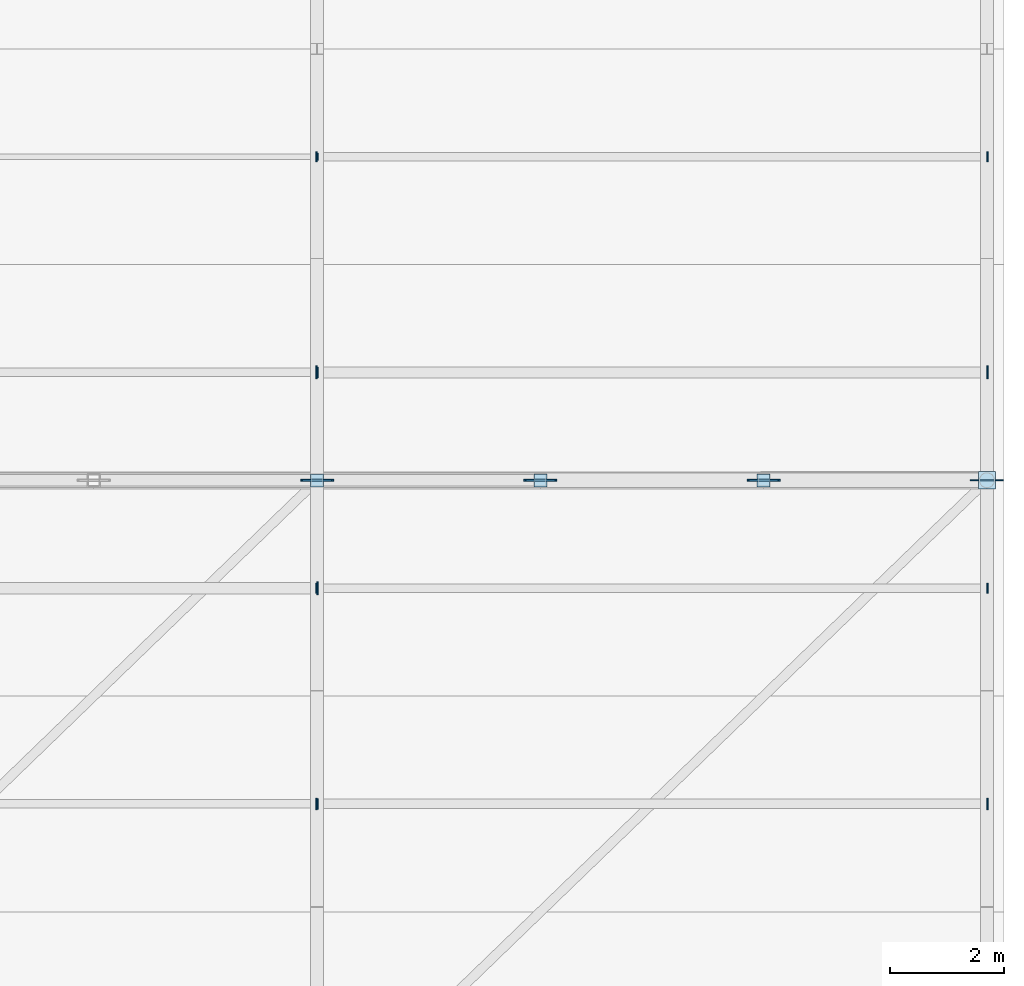
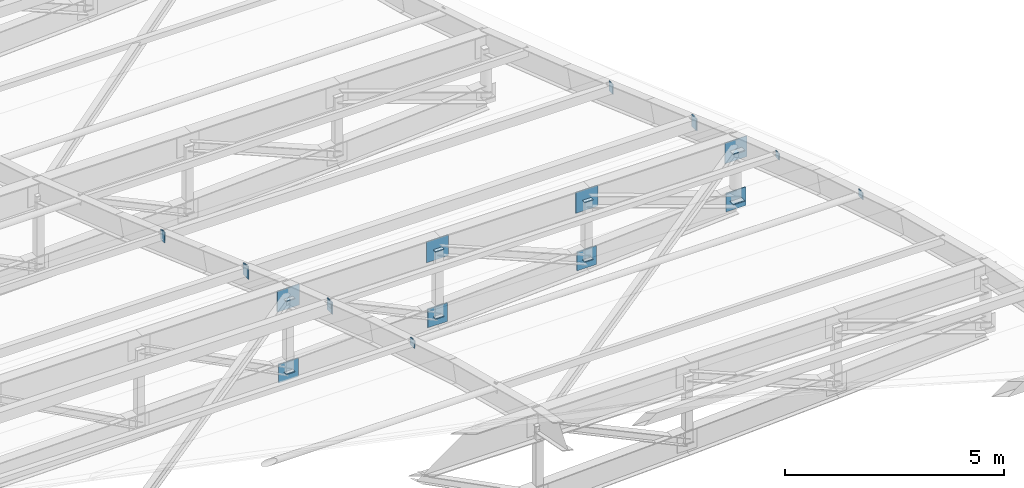
# One storey, part 43 of 65: 28 plates.
"""IFC4 building model written with IfcOpenShell, lengths in metres."""

from ifc_helpers import new_model, si_unit, direction, frame, origin, origin_2d, place, context, subcontext, project, spatial, rectangle, extrude, material, layer, layer_set, type_object, element, save


model = new_model("IFC4")

# Units and contexts
model_context = context("Model", 3, precision=1e-05, world=origin(), true_north=direction((0.0, 1.0)))
body_context = subcontext(model_context, "Body", "Model", "MODEL_VIEW")
ifc_project = project(units=[si_unit("LENGTHUNIT", "METRE"), si_unit("AREAUNIT", "SQUARE_METRE"), si_unit("VOLUMEUNIT", "CUBIC_METRE"), si_unit("PLANEANGLEUNIT", "RADIAN"), si_unit("MASSUNIT", "GRAM", prefix="KILO"), si_unit("POWERUNIT", "WATT"), si_unit("THERMODYNAMICTEMPERATUREUNIT", "KELVIN")], contexts=[model_context])

# Site, building, storey
site_placement = place(None, origin())
site = spatial("IfcSite", under=ifc_project, at=site_placement, CompositionType="ELEMENT")
building_placement = place(site_placement, origin())
building = spatial("IfcBuilding", under=site, at=building_placement, Name="Kelmbourne Parkland Aquatics Centre", CompositionType="ELEMENT")
storey_placement = place(building_placement, frame((0.0, 0.0, 27.0)))
storey = spatial("IfcBuildingStorey", under=building, at=storey_placement, Name="RF", CompositionType="ELEMENT", Elevation=27.0)

# Plates
ifc_material = material(Name="Welded plate steel AS/NZS 3678 Grade 350", Category="steel")
ifc_layer_1 = layer(ifc_material, 0.02001953125)
ifc_layer_set_1 = layer_set([ifc_layer_1], Name="Welded plate steel AS/NZS 3678 Grade 350")
plate_type_1 = type_object("IfcPlateType", Name="PL-CAP-20", PredefinedType="USERDEFINED", material=ifc_layer_set_1)
for number, where, z_axis, x_axis, name in (
    (1, (163.39990234375, 23.60009765625, -7.59912109375), (0.0, 0.0, 1.0), (1.0, 0.0, 0.0), "Hollow end cap plate CAP-0085"),
    (2, (163.39990234375, 23.60009765625, -5.563720703125), (0.0, 0.0, 1.0), (1.0, 0.0, 0.0), "Hollow end cap plate CAP-0086"),
    (3, (167.333251953125, 23.60009765625, -7.433837890625), (0.0, 0.0, 1.0), (1.0, 0.0, 0.0), "Hollow end cap plate CAP-0087"),
    (4, (167.333251953125, 23.60009765625, -5.563720703125), (0.0, 0.0, 1.0), (1.0, 0.0, 0.0), "Hollow end cap plate CAP-0088"),
    (5, (171.2666015625, 23.60009765625, -7.22119140625), (0.0, 0.0, 1.0), (1.0, 0.0, 0.0), "Hollow end cap plate CAP-0089"),
    (6, (171.2666015625, 23.60009765625, -5.563720703125), (0.0, 0.0, 1.0), (1.0, 0.0, 0.0), "Hollow end cap plate CAP-0090"),
):
    element("IfcPlate", number, at=place(storey_placement, frame(where, z_axis=z_axis, x_axis=x_axis)), inside=storey, type_object=plate_type_1, Name=name, ObjectType="END CAP PLATE", PredefinedType="USERDEFINED", context=body_context, shape_type="SweptSolid", body=[
        extrude(rectangle(XDim=0.22998046875, YDim=0.22998046875, at=origin_2d()), origin(), (0.0, 0.0, 1.0), 0.02001953125),
    ])
plate_1_placement = place(storey_placement, frame((163.408935546875, 17.89990234375, -3.43017578125), z_axis=(0.0, 0.0, 1.0), x_axis=(1.0, 0.0, 0.0)))
element("IfcPlate", 7, at=plate_1_placement, inside=storey, type_object=plate_type_1, Name="Hollow end cap plate CAP-0338", ObjectType="END CAP PLATE", PredefinedType="USERDEFINED", context=body_context, shape_type="SweptSolid", body=[
    extrude(rectangle(XDim=0.02001953125, YDim=0.179931640625, at=origin_2d()), origin(), (0.0, 0.0, 1.0), 0.179931640625),
])
for number, where, z_axis, x_axis, name in (
    (8, (163.39111328125, 17.89990234375, -3.4482421875), (0.0, 0.0, 1.0), (-1.0, 0.0, 0.0), "Hollow end cap plate CAP-0339"),
    (9, (175.208984375, 17.89990234375, -3.4482421875), (0.0, 0.0, 1.0), (1.0, 0.0, 0.0), "Hollow end cap plate CAP-0340"),
):
    element("IfcPlate", number, at=place(storey_placement, frame(where, z_axis=z_axis, x_axis=x_axis)), inside=storey, type_object=plate_type_1, Name=name, ObjectType="END CAP PLATE", PredefinedType="USERDEFINED", context=body_context, shape_type="SweptSolid", body=[
        extrude(rectangle(XDim=0.02001953125, YDim=0.1982421875, at=origin_2d()), origin(), (0.0, 0.0, 1.0), 0.1982421875),
    ])
for number, where, z_axis, x_axis, name in (
    (10, (163.39111328125, 21.699951171875, -4.65283203125), (0.0, 0.0, 1.0), (-1.0, 0.0, 0.0), "Hollow end cap plate CAP-0347"),
    (11, (175.208984375, 21.699951171875, -4.65283203125), (0.0, 0.0, 1.0), (1.0, 0.0, 0.0), "Hollow end cap plate CAP-0348"),
):
    element("IfcPlate", number, at=place(storey_placement, frame(where, z_axis=z_axis, x_axis=x_axis)), inside=storey, type_object=plate_type_1, Name=name, ObjectType="END CAP PLATE", PredefinedType="USERDEFINED", context=body_context, shape_type="SweptSolid", body=[
        extrude(rectangle(XDim=0.02001953125, YDim=0.179931640625, at=origin_2d()), origin(), (0.0, 0.0, 1.0), 0.179931640625),
    ])
plate_2_placement = place(storey_placement, frame((163.408935546875, 25.5, -6.076171875), z_axis=(0.0, 0.0, 1.0), x_axis=(1.0, 0.0, 0.0)))
element("IfcPlate", 12, at=plate_2_placement, inside=storey, type_object=plate_type_1, Name="Hollow end cap plate CAP-0354", ObjectType="END CAP PLATE", PredefinedType="USERDEFINED", context=body_context, shape_type="SweptSolid", body=[
    extrude(rectangle(XDim=0.02001953125, YDim=0.179931640625, at=origin_2d()), origin(), (0.0, 0.0, 1.0), 0.280029296875),
])
plate_3_placement = place(storey_placement, frame((163.408935546875, 29.300048828125, -7.3837890625), z_axis=(0.0, 0.0, 1.0), x_axis=(1.0, 0.0, 0.0)))
element("IfcPlate", 13, at=plate_3_placement, inside=storey, type_object=plate_type_1, Name="Hollow end cap plate CAP-0362", ObjectType="END CAP PLATE", PredefinedType="USERDEFINED", context=body_context, shape_type="SweptSolid", body=[
    extrude(rectangle(XDim=0.02001953125, YDim=0.1298828125, at=origin_2d()), origin(), (0.0, 0.0, 1.0), 0.22998046875),
])
for number, where, z_axis, x_axis, name in (
    (14, (163.39111328125, 29.300048828125, -7.43359375), (0.0, 0.0, 1.0), (-1.0, 0.0, 0.0), "Hollow end cap plate CAP-0363"),
    (15, (175.208984375, 29.300048828125, -7.43359375), (0.0, 0.0, 1.0), (1.0, 0.0, 0.0), "Hollow end cap plate CAP-0364"),
):
    element("IfcPlate", number, at=place(storey_placement, frame(where, z_axis=z_axis, x_axis=x_axis)), inside=storey, type_object=plate_type_1, Name=name, ObjectType="END CAP PLATE", PredefinedType="USERDEFINED", context=body_context, shape_type="SweptSolid", body=[
        extrude(rectangle(XDim=0.02001953125, YDim=0.179931640625, at=origin_2d()), origin(), (0.0, 0.0, 1.0), 0.280029296875),
    ])
ifc_layer_2 = layer(ifc_material, 0.02392578125)
ifc_layer_set_2 = layer_set([ifc_layer_2], Name="Welded plate steel AS/NZS 3678 Grade 350")
plate_type_2 = type_object("IfcPlateType", Name="PL-CAP-24", PredefinedType="USERDEFINED", material=ifc_layer_set_2)
for number, where, z_axis, x_axis, name in (
    (16, (175.199951171875, 23.60009765625, -6.965576171875), (0.0, 0.0, 1.0), (1.0, 0.0, 0.0), "Hollow end cap plate CAP-0091"),
    (17, (175.199951171875, 23.60009765625, -5.5634765625), (0.0, 0.0, 1.0), (1.0, 0.0, 0.0), "Hollow end cap plate CAP-0092"),
):
    element("IfcPlate", number, at=place(storey_placement, frame(where, z_axis=z_axis, x_axis=x_axis)), inside=storey, type_object=plate_type_2, Name=name, ObjectType="END CAP PLATE", PredefinedType="USERDEFINED", context=body_context, shape_type="SweptSolid", body=[
        extrude(rectangle(XDim=0.302978515625, YDim=0.302978515625, at=origin_2d()), origin(), (0.0, 0.0, 1.0), 0.02392578125),
    ])
for number, where, z_axis, x_axis, name in (
    (18, (163.410888671875, 21.699951171875, -4.802978515625), (0.0, 0.0, 1.0), (1.0, 0.0, 0.0), "Hollow end cap plate CAP-0346"),
    (19, (163.388916015625, 25.5, -6.126220703125), (0.0, 0.0, 1.0), (-1.0, 0.0, 0.0), "Hollow end cap plate CAP-0355"),
    (20, (175.2109375, 25.5, -6.126220703125), (0.0, 0.0, 1.0), (1.0, 0.0, 0.0), "Hollow end cap plate CAP-0356"),
):
    element("IfcPlate", number, at=place(storey_placement, frame(where, z_axis=z_axis, x_axis=x_axis)), inside=storey, type_object=plate_type_2, Name=name, ObjectType="END CAP PLATE", PredefinedType="USERDEFINED", context=body_context, shape_type="SweptSolid", body=[
        extrude(rectangle(XDim=0.02392578125, YDim=0.22998046875, at=origin_2d()), origin(), (0.0, 0.0, 1.0), 0.330078125),
    ])
ifc_layer_3 = layer(ifc_material, 0.02001953125)
ifc_layer_set_3 = layer_set([ifc_layer_3], Name="Welded plate steel AS/NZS 3678 Grade 350")
plate_type_3 = type_object("IfcPlateType", Name="PL-GUS-1", PredefinedType="USERDEFINED", material=ifc_layer_set_3)
plate_4_placement = place(storey_placement, frame((175.199951171875, 23.60009765625, -5.8525390625), z_axis=(0.0, 0.0, 1.0), x_axis=(1.0, 0.0, 0.0)))
element("IfcPlate", 21, at=plate_4_placement, inside=storey, type_object=plate_type_3, Name="Truss top node TN-1 gusset plate R02-N12", ObjectType="GUSSET PLATE", PredefinedType="USERDEFINED", context=body_context, shape_type="SweptSolid", body=[
    extrude(rectangle(XDim=0.580078125, YDim=0.02001953125, at=origin_2d()), origin(), (0.0, 0.0, 1.0), 0.580078125),
])
plate_5_placement = place(storey_placement, frame((175.199951171875, 23.60009765625, -7.20263671875), z_axis=(0.0, 0.0, 1.0), x_axis=(1.0, 0.0, 0.0)))
element("IfcPlate", 22, at=plate_5_placement, inside=storey, type_object=plate_type_3, Name="Truss bottom node TN-1 gusset plate R02-B12", ObjectType="GUSSET PLATE", PredefinedType="USERDEFINED", context=body_context, shape_type="SweptSolid", body=[
    extrude(rectangle(XDim=0.52001953125, YDim=0.02001953125, at=origin_2d()), origin(), (0.0, 0.0, 1.0), 0.52001953125),
])
ifc_layer_4 = layer(ifc_material, 0.031982421875)
ifc_layer_set_4 = layer_set([ifc_layer_4], Name="Welded plate steel AS/NZS 3678 Grade 350")
plate_type_4 = type_object("IfcPlateType", Name="PL-GUS-3", PredefinedType="USERDEFINED", material=ifc_layer_set_4)
plate_6_placement = place(storey_placement, frame((163.39990234375, 23.60009765625, -5.8525390625), z_axis=(0.0, 0.0, 1.0), x_axis=(1.0, 0.0, 0.0)))
element("IfcPlate", 23, at=plate_6_placement, inside=storey, type_object=plate_type_4, Name="Truss top node TN-3 gusset plate R02-N9", ObjectType="GUSSET PLATE", PredefinedType="USERDEFINED", context=body_context, shape_type="SweptSolid", body=[
    extrude(rectangle(XDim=0.580078125, YDim=0.031982421875, at=origin_2d()), origin(), (0.0, 0.0, 1.0), 0.580078125),
])
plate_7_placement = place(storey_placement, frame((163.39990234375, 23.60009765625, -7.840087890625), z_axis=(0.0, 0.0, 1.0), x_axis=(1.0, 0.0, 0.0)))
element("IfcPlate", 24, at=plate_7_placement, inside=storey, type_object=plate_type_4, Name="Truss bottom node TN-3 gusset plate R02-B9", ObjectType="GUSSET PLATE", PredefinedType="USERDEFINED", context=body_context, shape_type="SweptSolid", body=[
    extrude(rectangle(XDim=0.52001953125, YDim=0.031982421875, at=origin_2d()), origin(), (0.0, 0.0, 1.0), 0.52001953125),
])
plate_8_placement = place(storey_placement, frame((167.333251953125, 23.60009765625, -5.8525390625), z_axis=(0.0, 0.0, 1.0), x_axis=(1.0, 0.0, 0.0)))
element("IfcPlate", 25, at=plate_8_placement, inside=storey, type_object=plate_type_4, Name="Truss top node TN-3 gusset plate R02-N10", ObjectType="GUSSET PLATE", PredefinedType="USERDEFINED", context=body_context, shape_type="SweptSolid", body=[
    extrude(rectangle(XDim=0.580078125, YDim=0.031982421875, at=origin_2d()), origin(), (0.0, 0.0, 1.0), 0.580078125),
])
plate_9_placement = place(storey_placement, frame((167.333251953125, 23.60009765625, -7.6748046875), z_axis=(0.0, 0.0, 1.0), x_axis=(1.0, 0.0, 0.0)))
element("IfcPlate", 26, at=plate_9_placement, inside=storey, type_object=plate_type_4, Name="Truss bottom node TN-3 gusset plate R02-B10", ObjectType="GUSSET PLATE", PredefinedType="USERDEFINED", context=body_context, shape_type="SweptSolid", body=[
    extrude(rectangle(XDim=0.52001953125, YDim=0.031982421875, at=origin_2d()), origin(), (0.0, 0.0, 1.0), 0.52001953125),
])
plate_10_placement = place(storey_placement, frame((171.2666015625, 23.60009765625, -5.8525390625), z_axis=(0.0, 0.0, 1.0), x_axis=(1.0, 0.0, 0.0)))
element("IfcPlate", 27, at=plate_10_placement, inside=storey, type_object=plate_type_4, Name="Truss top node TN-3 gusset plate R02-N11", ObjectType="GUSSET PLATE", PredefinedType="USERDEFINED", context=body_context, shape_type="SweptSolid", body=[
    extrude(rectangle(XDim=0.580078125, YDim=0.031982421875, at=origin_2d()), origin(), (0.0, 0.0, 1.0), 0.580078125),
])
plate_11_placement = place(storey_placement, frame((171.2666015625, 23.60009765625, -7.46240234375), z_axis=(0.0, 0.0, 1.0), x_axis=(1.0, 0.0, 0.0)))
element("IfcPlate", 28, at=plate_11_placement, inside=storey, type_object=plate_type_4, Name="Truss bottom node TN-3 gusset plate R02-B11", ObjectType="GUSSET PLATE", PredefinedType="USERDEFINED", context=body_context, shape_type="SweptSolid", body=[
    extrude(rectangle(XDim=0.52001953125, YDim=0.031982421875, at=origin_2d()), origin(), (0.0, 0.0, 1.0), 0.52001953125),
])

save(model, "model.ifc")
